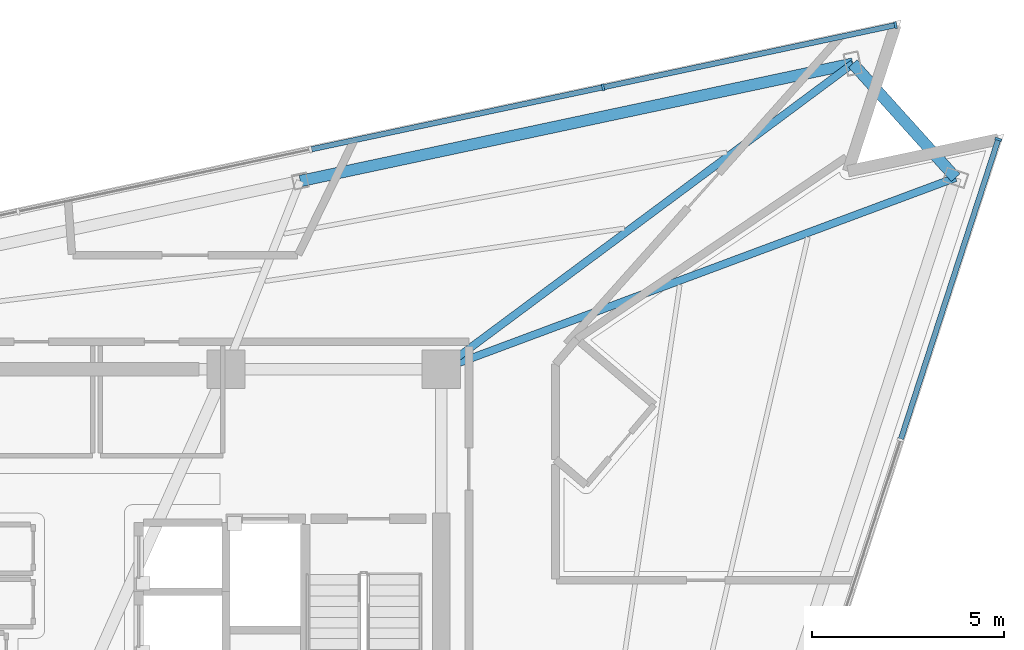
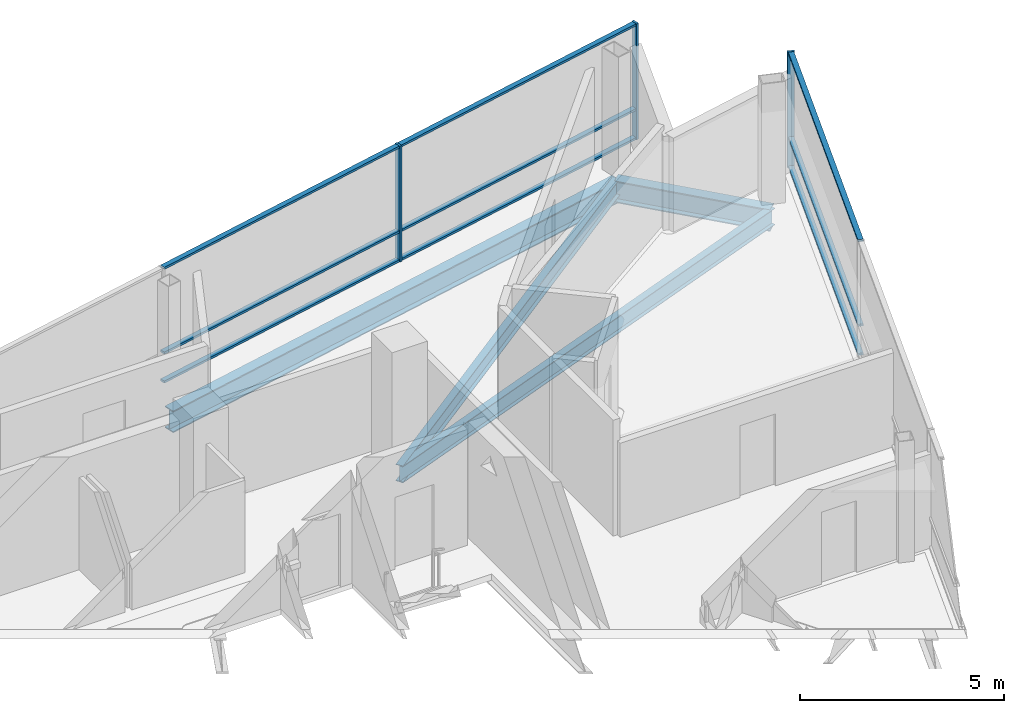
# One storey, part 8 of 18: 12 members, 4 beams, 2 elements without a shape of their own.
"""IFC4 building model written with IfcOpenShell, lengths in metres."""

import ifcopenshell
import ifcopenshell.guid

model = None  # the IFC model being written
_history = None  # IfcOwnerHistory: only IFC2X3 demands one
_inside = {}  # id of a spatial element -> (the spatial element, [elements in it])
_under = {}  # id of a project, library or spatial element -> (it, [spatial elements below it])
_declared = {}  # id of a project -> (the project, [libraries it declares])
_typed = {}  # id of a type object -> (the type object, [elements of that type])
_made_of = {}  # id of a material, layer set ... -> (it, [elements and type objects made of it])


def new_model(schema):
    """Start an empty IFC model of exactly this schema.

    Asked for "IFC4X3", IfcOpenShell would pick the latest addendum, in which some entities
    have other attributes; the version numbers below select the first issue.
    IFC2X3 requires an IfcOwnerHistory on every rooted entity: one is made here for all.
    """
    global model, _history
    if schema == "IFC4X3":
        model = ifcopenshell.file(schema_version=(4, 3, 0, 0))
    else:
        model = ifcopenshell.file(schema=schema)
    _inside.clear()
    _under.clear()
    _declared.clear()
    _typed.clear()
    _made_of.clear()
    _history = None
    if model.schema == "IFC2X3":
        org = make("IfcOrganization", Name="unknown")
        user = make(
            "IfcPersonAndOrganization",
            ThePerson=make("IfcPerson", FamilyName="unknown"),
            TheOrganization=org,
        )
        app = make(
            "IfcApplication",
            ApplicationDeveloper=org,
            Version="unknown",
            ApplicationFullName="unknown",
            ApplicationIdentifier="unknown",
        )
        _history = make(
            "IfcOwnerHistory",
            OwningUser=user,
            OwningApplication=app,
            ChangeAction="ADDED",
            CreationDate=0,
        )
    return model


def make(cls, **values):
    """One entity of the class cls with the attributes given. An attribute that is None is left unset."""
    return model.create_entity(
        cls, **{name: value for name, value in values.items() if value is not None}
    )


def rooted(cls, **values):
    """An entity with a GlobalId (a new one), such as an element, a storey or a relation."""
    return make(cls, GlobalId=ifcopenshell.guid.new(), OwnerHistory=_history, **values)


def si_unit(unit_type, name, prefix=None):
    """IfcSIUnit, for example si_unit("LENGTHUNIT", "METRE", prefix="MILLI")."""
    return make("IfcSIUnit", UnitType=unit_type, Prefix=prefix, Name=name)


def assignment(units):
    """IfcUnitAssignment: the units of a project."""
    return None if units is None else make("IfcUnitAssignment", Units=units)


def point(xyz):
    """IfcCartesianPoint."""
    return None if xyz is None else make("IfcCartesianPoint", Coordinates=xyz)


def direction(xyz):
    """IfcDirection."""
    return None if xyz is None else make("IfcDirection", DirectionRatios=xyz)


def frame(location, z_axis=None, x_axis=None):
    """IfcAxis2Placement3D, a coordinate frame: its origin and axes. An axis left out is left unset."""
    return make(
        "IfcAxis2Placement3D",
        Location=point(location),
        Axis=direction(z_axis),
        RefDirection=direction(x_axis),
    )


def frame_2d(location, x_axis=None):
    """IfcAxis2Placement2D, a coordinate frame in the plane: its origin and x axis."""
    return make(
        "IfcAxis2Placement2D", Location=point(location), RefDirection=direction(x_axis)
    )


def origin():
    """The frame at (0, 0, 0) with its axes left unset."""
    return frame((0.0, 0.0, 0.0))


def origin_2d():
    """The frame at (0, 0) in the plane with its x axis left unset."""
    return frame_2d((0.0, 0.0))


def place(relative_to, where):
    """IfcLocalPlacement: puts the frame where relative to a parent placement (None: the world)."""
    return make(
        "IfcLocalPlacement", PlacementRelTo=relative_to, RelativePlacement=where
    )


def context(
    kind, dimensions, precision=None, world=None, true_north=None, identifier=None
):
    """IfcGeometricRepresentationContext, for example the 3D "Model" context."""
    return make(
        "IfcGeometricRepresentationContext",
        ContextIdentifier=identifier,
        ContextType=kind,
        CoordinateSpaceDimension=dimensions,
        Precision=precision,
        WorldCoordinateSystem=world,
        TrueNorth=true_north,
    )


def subcontext(parent, identifier, kind, view, scale=None):
    """IfcGeometricRepresentationSubContext, for example "Body" below "Model"."""
    return make(
        "IfcGeometricRepresentationSubContext",
        ContextIdentifier=identifier,
        ContextType=kind,
        ParentContext=parent,
        TargetScale=scale,
        TargetView=view,
    )


def project(units=None, contexts=None):
    """IfcProject with its units and contexts."""
    return rooted(
        "IfcProject",
        Name="project",
        RepresentationContexts=contexts,
        UnitsInContext=assignment(units),
    )


def spatial(cls, under=None, at=None, **own):
    """A site, building, storey or space (cls), placed at a placement, below another one or the project."""
    s = rooted(cls, ObjectPlacement=at, **own)
    if under is not None:
        _under.setdefault(under.id(), (under, []))[1].append(s)
    return s


def profile(cls, at=None, kind="AREA", **sizes):
    """A parametric profile (cls). Its sizes go by their IFC names, for example OverallWidth=200.0."""
    return make(cls, ProfileType=kind, Position=at, **sizes)


def rectangle(**sizes):
    """IfcRectangleProfileDef."""
    return profile("IfcRectangleProfileDef", **sizes)


def i_section(**sizes):
    """IfcIShapeProfileDef."""
    return profile("IfcIShapeProfileDef", **sizes)


def extrude(swept, where, along, depth):
    """IfcExtrudedAreaSolid: the profile swept, set in the frame where, extruded along a direction by depth."""
    return make(
        "IfcExtrudedAreaSolid",
        SweptArea=swept,
        Position=where,
        ExtrudedDirection=direction(along),
        Depth=depth,
    )


def shape(context_of_items, identifier, shape_type, items):
    """IfcShapeRepresentation: the items that make up one representation, for example the "Body"."""
    return make(
        "IfcShapeRepresentation",
        ContextOfItems=context_of_items,
        RepresentationIdentifier=identifier,
        RepresentationType=shape_type,
        Items=items,
    )


def material(Name=None, Category=None):
    """IfcMaterial."""
    return make("IfcMaterial", Name=Name, Category=Category)


def layer(
    of_material, thickness, ventilated=None, Name=None, Category=None, Priority=None
):
    """IfcMaterialLayer: one layer of a wall or slab, of a material (None: an air gap)."""
    return make(
        "IfcMaterialLayer",
        Material=of_material,
        LayerThickness=thickness,
        IsVentilated=ventilated,
        Name=Name,
        Category=Category,
        Priority=Priority,
    )


def layer_set(layers, Name=None):
    """IfcMaterialLayerSet."""
    return make("IfcMaterialLayerSet", MaterialLayers=layers, LayerSetName=Name)


def material_profile(
    of_material, cross_section, Name=None, Category=None, Priority=None
):
    """IfcMaterialProfile: a cross section and its material."""
    return make(
        "IfcMaterialProfile",
        Name=Name,
        Material=of_material,
        Profile=cross_section,
        Priority=Priority,
        Category=Category,
    )


def profile_set(profiles, Name=None, composite=None):
    """IfcMaterialProfileSet."""
    return make(
        "IfcMaterialProfileSet",
        Name=Name,
        MaterialProfiles=profiles,
        CompositeProfile=composite,
    )


def made_of(thing, what):
    """Note that an element or type object is made of a material, layer set ...; save() writes the relation."""
    if what is not None:
        _made_of.setdefault(what.id(), (what, []))[1].append(thing)
    return thing


def type_object(cls, material=None, **own):
    """A type object (cls), such as IfcWallType, which elements share."""
    return made_of(rooted(cls, **own), material)


def element(
    cls,
    number,
    at=None,
    inside=None,
    cuts=None,
    type_object=None,
    material=None,
    context=None,
    identifier="Body",
    shape_type=None,
    held_by="IfcProductDefinitionShape",
    body=None,
    shapes=None,
    **own,
):
    """One element of the class cls, such as IfcWall. Its Tag is "e" and its number.

    at: its placement. inside: the storey or other place that contains it. cuts: it is an
    opening in that element (IfcRelVoidsElement). A single representation is given by context,
    identifier, shape_type and body (its items); several are given by shapes. held_by: the class
    of the entity that holds the representations. save() writes the other relations.
    """
    e = rooted(cls, Tag="e%d" % number, ObjectPlacement=at, **own)
    if body is not None:
        shapes = [shape(context, identifier, shape_type, body)]
    if shapes is not None:
        e.Representation = make(held_by, Representations=shapes)
    if inside is not None:
        _inside.setdefault(inside.id(), (inside, []))[1].append(e)
    if cuts is not None:
        rooted(
            "IfcRelVoidsElement", RelatingBuildingElement=cuts, RelatedOpeningElement=e
        )
    if type_object is not None:
        _typed.setdefault(type_object.id(), (type_object, []))[1].append(e)
    return made_of(e, material)


def aggregate(whole, parts):
    """IfcRelAggregates: a whole, such as a stair, and the parts it consists of."""
    return rooted("IfcRelAggregates", RelatingObject=whole, RelatedObjects=parts)


def save(model, path):
    """Write the relations noted so far, then the file.

    IfcRelAggregates (storeys below a building ...), IfcRelContainedInSpatialStructure (elements
    in a storey), IfcRelDefinesByType, IfcRelAssociatesMaterial and IfcRelDeclares: one each for
    every whole, place, type object, material and project.
    """
    for whole, parts in _under.values():
        aggregate(whole, parts)
    for where, things in _inside.values():
        rooted(
            "IfcRelContainedInSpatialStructure",
            RelatedElements=things,
            RelatingStructure=where,
        )
    for kind, things in _typed.values():
        rooted("IfcRelDefinesByType", RelatedObjects=things, RelatingType=kind)
    for what, things in _made_of.values():
        rooted("IfcRelAssociatesMaterial", RelatedObjects=things, RelatingMaterial=what)
    for by, libraries in _declared.values():
        rooted("IfcRelDeclares", RelatingContext=by, RelatedDefinitions=libraries)
    model.write(path)


model = new_model("IFC4")

# Units and contexts
model_context = context("Model", 3, precision=1e-05, world=origin(), true_north=direction((0.0, 1.0)))
body_context = subcontext(model_context, "Body", "Model", "MODEL_VIEW")
ifc_project = project(units=[si_unit("LENGTHUNIT", "METRE"), si_unit("AREAUNIT", "SQUARE_METRE"), si_unit("VOLUMEUNIT", "CUBIC_METRE"), si_unit("PLANEANGLEUNIT", "RADIAN"), si_unit("MASSUNIT", "GRAM", prefix="KILO")], contexts=[model_context])

# Site, building, storey
site_placement = place(None, origin())
site = spatial("IfcSite", under=ifc_project, at=site_placement, CompositionType="ELEMENT")
building_placement = place(site_placement, origin())
building = spatial("IfcBuilding", under=site, at=building_placement, Name="Tharavind Bronze Gate", CompositionType="ELEMENT")
storey_placement = place(building_placement, frame((0.0, 0.0, 287.050048828125)))
storey = spatial("IfcBuildingStorey", under=building, at=storey_placement, Name="L74", CompositionType="ELEMENT", Elevation=287.050048828125)

# Curtain wall, member
ifc_material_1 = material(Name="Anodised Bronze Aluminium", Category="aluminium")
ifc_layer = layer(ifc_material_1, 0.219970703125)
ifc_layer_set = layer_set([ifc_layer], Name="Anodised Bronze Aluminium")
curtain_wall_type = type_object("IfcCurtainWallType", Name="UNITISED CURTAIN WALL CROWN", PredefinedType="USERDEFINED", material=ifc_layer_set)
curtain_wall_1_placement = place(storey_placement, origin())
curtain_wall_1 = element("IfcCurtainWall", 1, at=curtain_wall_1_placement, inside=storey, type_object=curtain_wall_type, Name="L74 unitised curtain wall crown CW-L74-S2", ObjectType="UNITISED CURTAIN WALL", PredefinedType="USERDEFINED")
member_type_1 = type_object("IfcMemberType", Name="CURTAIN WALL BRONZE MULLION 65X180", PredefinedType="MULLION", material=ifc_material_1)
member_1_placement = place(storey_placement, frame((23.433837890625, 13.603271484375, 0.0), z_axis=(0.0, 0.0, 1.0), x_axis=(0.309016994375, 0.951056516295, 0.0)))
member_1 = element("IfcMember", 2, at=member_1_placement, type_object=member_type_1, Name="CW-L74-S2 mullion 7", PredefinedType="MULLION", context=body_context, shape_type="SweptSolid", body=[
    extrude(rectangle(XDim=0.06494140625, YDim=0.179931640625, at=origin_2d()), origin(), (0.0, 0.0, 1.0), 3.465087890625),
])

# Curtain wall, members
curtain_wall_2_placement = place(storey_placement, origin())
curtain_wall_2 = element("IfcCurtainWall", 3, at=curtain_wall_2_placement, inside=storey, type_object=curtain_wall_type, Name="L74 unitised curtain wall crown CW-L74-S3", ObjectType="UNITISED CURTAIN WALL", PredefinedType="USERDEFINED")
member_2_placement = place(storey_placement, frame((20.751953125, 16.581787109375, 0.0), z_axis=(0.0, 0.0, 1.0), x_axis=(-0.978147237858, -0.207913398007, 0.0)))
member_2 = element("IfcMember", 4, at=member_2_placement, type_object=member_type_1, Name="CW-L74-S3 mullion 1", PredefinedType="MULLION", context=body_context, shape_type="SweptSolid", body=[
    extrude(rectangle(XDim=0.06494140625, YDim=0.179931640625, at=origin_2d()), origin(), (0.0, 0.0, 1.0), 3.465087890625),
])
member_3_placement = place(storey_placement, frame((13.119873046875, 14.959716796875, 0.0), z_axis=(0.0, 0.0, 1.0), x_axis=(-0.978147237858, -0.207913398007, 0.0)))
member_3 = element("IfcMember", 5, at=member_3_placement, type_object=member_type_1, Name="CW-L74-S3 mullion 2", PredefinedType="MULLION", context=body_context, shape_type="SweptSolid", body=[
    extrude(rectangle(XDim=0.06494140625, YDim=0.179931640625, at=origin_2d()), origin(), (0.0, 0.0, 1.0), 3.465087890625),
])

# Member
member_type_2 = type_object("IfcMemberType", Name="CURTAIN WALL BRONZE TRANSOM 65X140", PredefinedType="USERDEFINED", material=ifc_material_1)
member_4_placement = place(storey_placement, frame((22.159423828125, 9.68115234375, 0.0), z_axis=(0.0, 0.0, 1.0), x_axis=(0.309016994375, 0.951056516295, 0.0)))
member_4 = element("IfcMember", 6, at=member_4_placement, type_object=member_type_2, Name="CW-L74-S2 transom TB6", ObjectType="TRANSOM", PredefinedType="USERDEFINED", context=body_context, shape_type="SweptSolid", body=[
    extrude(rectangle(XDim=8.195068359375, YDim=0.139892578125, at=origin_2d()), origin(), (0.0, 0.0, 1.0), 0.06494140625),
])

member_5_placement = place(storey_placement, frame((22.159423828125, 9.68115234375, 0.867431640625), z_axis=(0.0, 0.0, 1.0), x_axis=(0.309016994375, 0.951056516295, 0.0)))
member_5 = element("IfcMember", 7, at=member_5_placement, type_object=member_type_2, Name="CW-L74-S2 transom TS6", ObjectType="TRANSOM", PredefinedType="USERDEFINED", context=body_context, shape_type="SweptSolid", body=[
    extrude(rectangle(XDim=8.195068359375, YDim=0.139892578125, at=origin_2d()), origin(), (0.0, 0.0, 1.0), 0.06494140625),
])

member_6_placement = place(storey_placement, frame((22.159423828125, 9.68115234375, 3.39990234375), z_axis=(0.0, 0.0, 1.0), x_axis=(0.309016994375, 0.951056516295, 0.0)))
member_6 = element("IfcMember", 8, at=member_6_placement, type_object=member_type_2, Name="CW-L74-S2 transom TT6", ObjectType="TRANSOM", PredefinedType="USERDEFINED", context=body_context, shape_type="SweptSolid", body=[
    extrude(rectangle(XDim=8.195068359375, YDim=0.139892578125, at=origin_2d()), origin(), (0.0, 0.0, 1.0), 0.06494140625),
])

aggregate(curtain_wall_1, [member_1, member_4, member_5, member_6])

member_7_placement = place(storey_placement, frame((16.935791015625, 15.770751953125, 0.0), z_axis=(0.0, 0.0, 1.0), x_axis=(-0.978147237858, -0.207913398007, 0.0)))
member_7 = element("IfcMember", 9, at=member_7_placement, type_object=member_type_2, Name="CW-L74-S3 transom TB1", ObjectType="TRANSOM", PredefinedType="USERDEFINED", context=body_context, shape_type="SweptSolid", body=[
    extrude(rectangle(XDim=7.749755859375, YDim=0.139892578125, at=origin_2d()), origin(), (0.0, 0.0, 1.0), 0.06494140625),
])

member_8_placement = place(storey_placement, frame((16.935791015625, 15.770751953125, 0.867431640625), z_axis=(0.0, 0.0, 1.0), x_axis=(-0.978147237858, -0.207913398007, 0.0)))
member_8 = element("IfcMember", 10, at=member_8_placement, type_object=member_type_2, Name="CW-L74-S3 transom TS1", ObjectType="TRANSOM", PredefinedType="USERDEFINED", context=body_context, shape_type="SweptSolid", body=[
    extrude(rectangle(XDim=7.749755859375, YDim=0.139892578125, at=origin_2d()), origin(), (0.0, 0.0, 1.0), 0.06494140625),
])

member_9_placement = place(storey_placement, frame((16.935791015625, 15.770751953125, 3.39990234375), z_axis=(0.0, 0.0, 1.0), x_axis=(-0.978147237858, -0.207913398007, 0.0)))
member_9 = element("IfcMember", 11, at=member_9_placement, type_object=member_type_2, Name="CW-L74-S3 transom TT1", ObjectType="TRANSOM", PredefinedType="USERDEFINED", context=body_context, shape_type="SweptSolid", body=[
    extrude(rectangle(XDim=7.749755859375, YDim=0.139892578125, at=origin_2d()), origin(), (0.0, 0.0, 1.0), 0.06494140625),
])

member_10_placement = place(storey_placement, frame((9.3037109375, 14.1484375, 0.0), z_axis=(0.0, 0.0, 1.0), x_axis=(-0.978147237858, -0.207913398007, 0.0)))
member_10 = element("IfcMember", 12, at=member_10_placement, type_object=member_type_2, Name="CW-L74-S3 transom TB2", ObjectType="TRANSOM", PredefinedType="USERDEFINED", context=body_context, shape_type="SweptSolid", body=[
    extrude(rectangle(XDim=7.749755859375, YDim=0.139892578125, at=origin_2d()), origin(), (0.0, 0.0, 1.0), 0.06494140625),
])

member_11_placement = place(storey_placement, frame((9.3037109375, 14.1484375, 0.867431640625), z_axis=(0.0, 0.0, 1.0), x_axis=(-0.978147237858, -0.207913398007, 0.0)))
member_11 = element("IfcMember", 13, at=member_11_placement, type_object=member_type_2, Name="CW-L74-S3 transom TS2", ObjectType="TRANSOM", PredefinedType="USERDEFINED", context=body_context, shape_type="SweptSolid", body=[
    extrude(rectangle(XDim=7.749755859375, YDim=0.139892578125, at=origin_2d()), origin(), (0.0, 0.0, 1.0), 0.06494140625),
])

member_12_placement = place(storey_placement, frame((9.3037109375, 14.1484375, 3.39990234375), z_axis=(0.0, 0.0, 1.0), x_axis=(-0.978147237858, -0.207913398007, 0.0)))
member_12 = element("IfcMember", 14, at=member_12_placement, type_object=member_type_2, Name="CW-L74-S3 transom TT2", ObjectType="TRANSOM", PredefinedType="USERDEFINED", context=body_context, shape_type="SweptSolid", body=[
    extrude(rectangle(XDim=7.749755859375, YDim=0.139892578125, at=origin_2d()), origin(), (0.0, 0.0, 1.0), 0.06494140625),
])

aggregate(curtain_wall_2, [member_2, member_3, member_7, member_8, member_9, member_10, member_11, member_12])

# Beams
ifc_material_2 = material(Name="Steel S355", Category="steel")
ifc_material_profile_1 = material_profile(ifc_material_2, i_section(OverallWidth=0.300048828125, OverallDepth=0.64990234375, WebThickness=0.01611328125, FlangeThickness=0.031005859375, at=origin_2d()), Name="HE650B")
ifc_profile_set_1 = profile_set([ifc_material_profile_1], Name="Steel S355")
beam_type_1 = type_object("IfcBeamType", Name="PRIMARY GIRDER HE650B", PredefinedType="USERDEFINED", material=ifc_profile_set_1)
beam_1_placement = place(storey_placement, frame((22.319091796875, 12.599609375, -0.510009765625), z_axis=(-0.669132983361, 0.743142685208, 0.0), x_axis=(-0.743142685208, -0.669132983361, 0.0)))
element("IfcBeam", 15, at=beam_1_placement, inside=storey, type_object=beam_type_1, Name="L74 primary girder he650b BM-L74-PRG08", ObjectType="GIRDER", PredefinedType="USERDEFINED", context=body_context, shape_type="SweptSolid", body=[
    extrude(i_section(OverallWidth=0.300048828125, OverallDepth=0.64990234375, WebThickness=0.01611328125, FlangeThickness=0.031005859375, at=origin_2d()), origin(), (0.0, 0.0, 1.0), 4.008056640625),
])
beam_2_placement = place(storey_placement, frame((19.63720703125, 15.578125, -0.510009765625), z_axis=(-0.97814794647, -0.207910064249, 0.0), x_axis=(0.207910064249, -0.97814794647, 0.0)))
element("IfcBeam", 16, at=beam_2_placement, inside=storey, type_object=beam_type_1, Name="L74 primary girder he650b BM-L74-PRG09", ObjectType="GIRDER", PredefinedType="USERDEFINED", context=body_context, shape_type="SweptSolid", body=[
    extrude(i_section(OverallWidth=0.300048828125, OverallDepth=0.64990234375, WebThickness=0.01611328125, FlangeThickness=0.031005859375, at=origin_2d()), origin(), (0.0, 0.0, 1.0), 14.7392578125),
])
ifc_material_profile_2 = material_profile(ifc_material_2, i_section(OverallWidth=0.199951171875, OverallDepth=0.5, WebThickness=0.01025390625, FlangeThickness=0.01611328125, at=origin_2d()), Name="IPE500")
ifc_profile_set_2 = profile_set([ifc_material_profile_2], Name="Steel S355")
beam_type_2 = type_object("IfcBeamType", Name="PRIMARY GIRDER IPE500", PredefinedType="USERDEFINED", material=ifc_profile_set_2)
beam_3_placement = place(storey_placement, frame((22.319091796875, 12.599609375, -0.43505859375), z_axis=(-0.937077412275, -0.349121645567, 0.0), x_axis=(0.349121645567, -0.937077412275, 0.0)))
element("IfcBeam", 17, at=beam_3_placement, inside=storey, type_object=beam_type_2, Name="L74 primary girder ipe500 BM-L74-RAD08", ObjectType="GIRDER", PredefinedType="USERDEFINED", context=body_context, shape_type="SweptSolid", body=[
    extrude(i_section(OverallWidth=0.199951171875, OverallDepth=0.5, WebThickness=0.01025390625, FlangeThickness=0.01611328125, at=origin_2d()), origin(), (0.0, 0.0, 1.0), 14.3203125),
])
beam_4_placement = place(storey_placement, frame((19.63720703125, 15.578125, -0.43505859375), z_axis=(-0.802681438581, -0.596408004774, 0.0), x_axis=(0.596408004774, -0.802681438581, 0.0)))
element("IfcBeam", 18, at=beam_4_placement, inside=storey, type_object=beam_type_2, Name="L74 primary girder ipe500 BM-L74-RAD09", ObjectType="GIRDER", PredefinedType="USERDEFINED", context=body_context, shape_type="SweptSolid", body=[
    extrude(i_section(OverallWidth=0.199951171875, OverallDepth=0.5, WebThickness=0.01025390625, FlangeThickness=0.01611328125, at=origin_2d()), origin(), (0.0, 0.0, 1.0), 13.376708984375),
])

save(model, "model.ifc")
